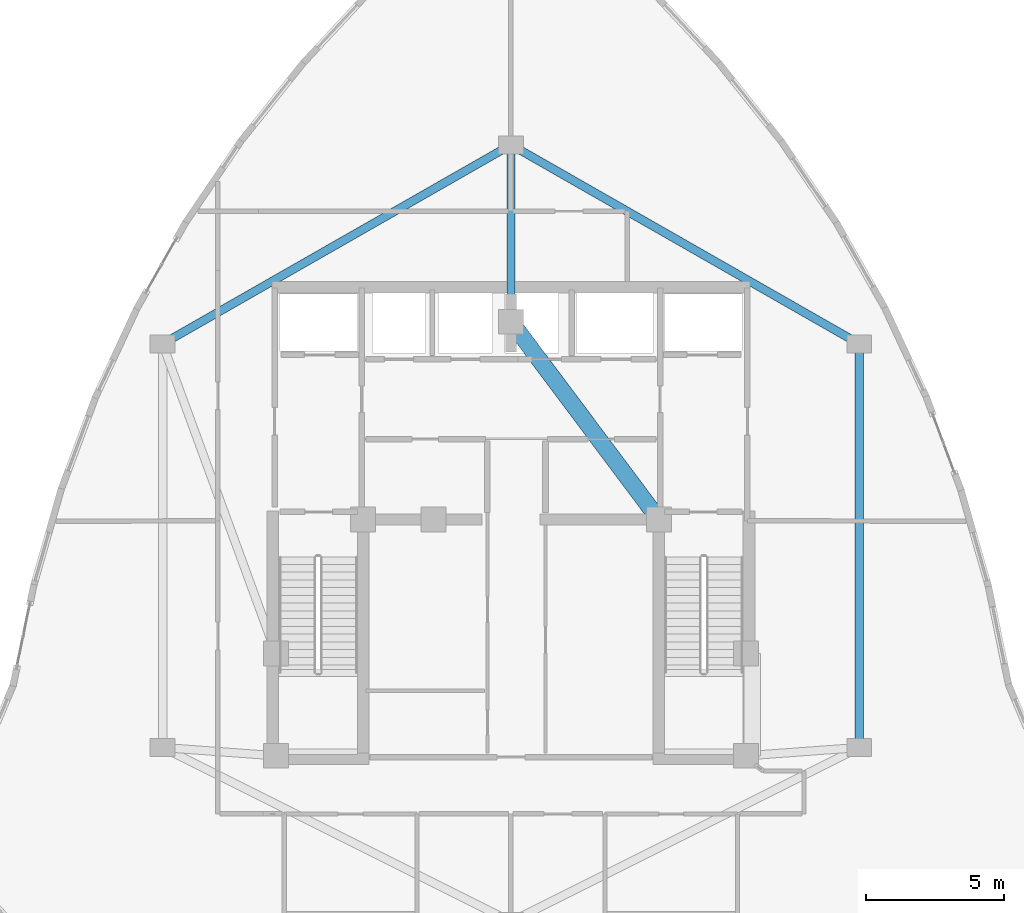
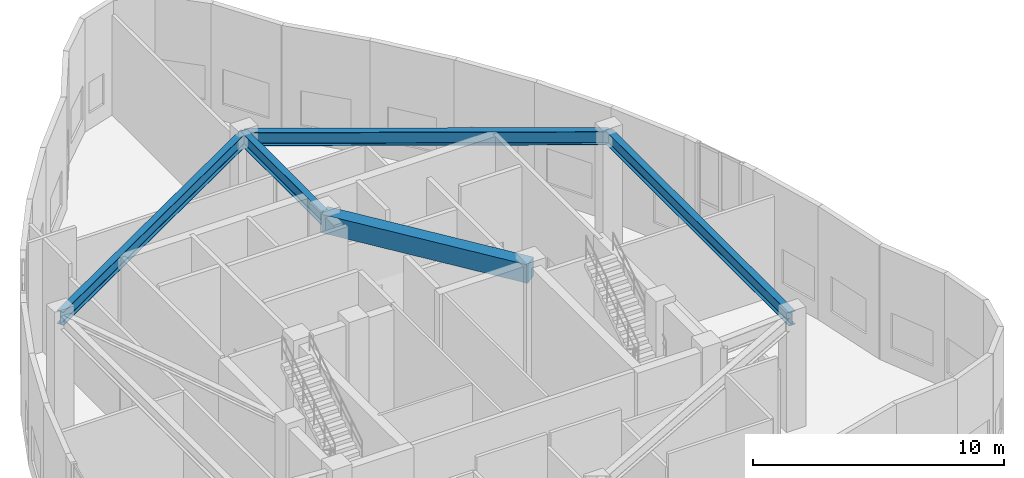
# One storey, part 7 of 16: 5 beams.
"""IFC4 building model written with IfcOpenShell, lengths in metres."""

from ifc_helpers import new_model, si_unit, direction, frame, origin, origin_2d, place, context, subcontext, project, spatial, rectangle, i_section, extrude, material, material_profile, profile_set, type_object, element, save


model = new_model("IFC4")

# Units and contexts
model_context = context("Model", 3, precision=1e-05, world=origin(), true_north=direction((0.0, 1.0)))
body_context = subcontext(model_context, "Body", "Model", "MODEL_VIEW")
ifc_project = project(units=[si_unit("LENGTHUNIT", "METRE"), si_unit("AREAUNIT", "SQUARE_METRE"), si_unit("VOLUMEUNIT", "CUBIC_METRE"), si_unit("PLANEANGLEUNIT", "RADIAN"), si_unit("MASSUNIT", "GRAM", prefix="KILO")], contexts=[model_context])

# Site, building, storey
site_placement = place(None, origin())
site = spatial("IfcSite", under=ifc_project, at=site_placement, CompositionType="ELEMENT")
building_placement = place(site_placement, origin())
building = spatial("IfcBuilding", under=site, at=building_placement, Name="Miruveldt Soraemaru", CompositionType="ELEMENT")
storey_placement = place(building_placement, frame((0.0, 0.0, 289.60009765625)))
storey = spatial("IfcBuildingStorey", under=building, at=storey_placement, Name="L78", CompositionType="ELEMENT", Elevation=289.60009765625)

# Beams
ifc_material_1 = material(Name="Concrete C60/75 (60 MPa)", Category="concrete")
ifc_material_profile_1 = material_profile(ifc_material_1, rectangle(XDim=0.60009765625, YDim=0.89990234375, at=origin_2d()), Name="Concrete C60/75 (60 MPa)", Category="concrete")
ifc_profile_set_1 = profile_set([ifc_material_profile_1], Name="Concrete C60/75 (60 MPa)")
beam_type_1 = type_object("IfcBeamType", Name="BM-RC-600x900", PredefinedType="BEAM", material=ifc_profile_set_1)
beam_1_placement = place(storey_placement, frame((49.35009765625, 44.050048828125, 5.059814453125), z_axis=(-0.599116023999, 0.800662219533, 0.0), x_axis=(-0.800662219533, -0.599116023999, 0.0)))
element("IfcBeam", 1, at=beam_1_placement, inside=storey, type_object=beam_type_1, Name="L78 Core Tie Beam 5", PredefinedType="BEAM", context=body_context, shape_type="SweptSolid", body=[
    extrude(rectangle(XDim=0.60009765625, YDim=0.89990234375, at=origin_2d()), origin(), (0.0, 0.0, 1.0), 8.929931640625),
])
ifc_material_2 = material(Name="Steel SM355 (355 MPa)", Category="steel")
ifc_material_profile_2 = material_profile(ifc_material_2, i_section(OverallWidth=0.300048828125, OverallDepth=0.64990234375, WebThickness=0.012939453125, FlangeThickness=0.02197265625, FilletRadius=0.02587890625, at=origin_2d()), Name="Steel SM355 (355 MPa)", Category="steel")
ifc_profile_set_2 = profile_set([ifc_material_profile_2], Name="Steel SM355 (355 MPa)")
beam_type_2 = type_object("IfcBeamType", Name="BM-ST-H650", PredefinedType="BEAM", material=ifc_profile_set_2)
beam_2_placement = place(storey_placement, frame((44.0, 57.60009765625, 5.184814453125), z_axis=(0.868239001029, -0.496146185203, 0.0), x_axis=(0.496146185203, 0.868239001029, 0.0)))
element("IfcBeam", 2, at=beam_2_placement, inside=storey, type_object=beam_type_2, Name="L78 Inner Ring Girder 1", PredefinedType="BEAM", context=body_context, shape_type="SweptSolid", body=[
    extrude(i_section(OverallWidth=0.300048828125, OverallDepth=0.64990234375, WebThickness=0.012939453125, FlangeThickness=0.02197265625, FilletRadius=0.02587890625, at=origin_2d()), origin(), (0.0, 0.0, 1.0), 14.51220703125),
])
beam_3_placement = place(storey_placement, frame((44.0, 51.199951171875, 5.184814453125), z_axis=(0.0, 1.0, 0.0), x_axis=(-1.0, 0.0, 0.0)))
element("IfcBeam", 3, at=beam_3_placement, inside=storey, type_object=beam_type_2, Name="L78 Core-to-Inner Radial Girder 1", PredefinedType="BEAM", context=body_context, shape_type="SweptSolid", body=[
    extrude(i_section(OverallWidth=0.300048828125, OverallDepth=0.64990234375, WebThickness=0.012939453125, FlangeThickness=0.02197265625, FilletRadius=0.02587890625, at=origin_2d()), origin(), (0.0, 0.0, 1.0), 6.400146484375),
])
beam_4_placement = place(storey_placement, frame((56.60009765625, 50.39990234375, 5.184814453125), z_axis=(0.0, -1.0, 0.0), x_axis=(1.0, 0.0, 0.0)))
element("IfcBeam", 4, at=beam_4_placement, inside=storey, type_object=beam_type_2, Name="L78 Inner Ring Girder 2", PredefinedType="BEAM", context=body_context, shape_type="SweptSolid", body=[
    extrude(i_section(OverallWidth=0.300048828125, OverallDepth=0.64990234375, WebThickness=0.012939453125, FlangeThickness=0.02197265625, FilletRadius=0.02587890625, at=origin_2d()), origin(), (0.0, 0.0, 1.0), 14.599853515625),
])
beam_5_placement = place(storey_placement, frame((31.39990234375, 50.39990234375, 5.184814453125), z_axis=(0.868239001029, 0.496146185203, 0.0), x_axis=(-0.496146185203, 0.868239001029, 0.0)))
element("IfcBeam", 5, at=beam_5_placement, inside=storey, type_object=beam_type_2, Name="L78 Inner Ring Girder 6", PredefinedType="BEAM", context=body_context, shape_type="SweptSolid", body=[
    extrude(i_section(OverallWidth=0.300048828125, OverallDepth=0.64990234375, WebThickness=0.012939453125, FlangeThickness=0.02197265625, FilletRadius=0.02587890625, at=origin_2d()), origin(), (0.0, 0.0, 1.0), 14.51220703125),
])

save(model, "model.ifc")
